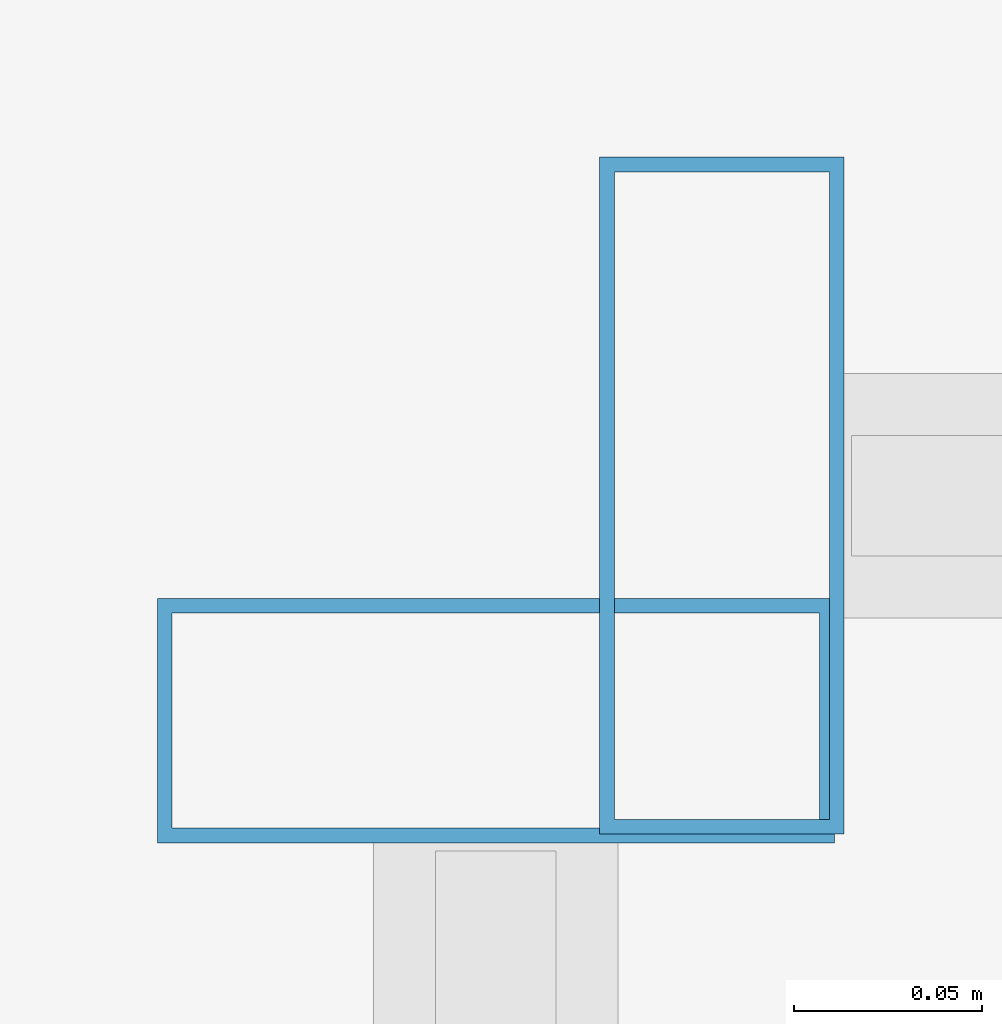
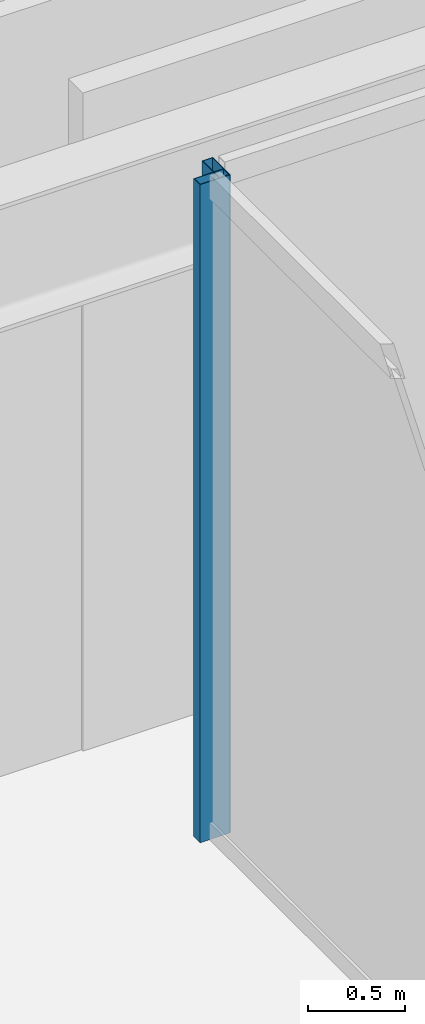
# One storey, part 24 of 47: 2 members, 2 elements without a shape of their own.
"""IFC4 building model written with IfcOpenShell, lengths in metres."""

from ifc_helpers import new_model, si_unit, direction, frame, origin, origin_2d, place, context, subcontext, project, spatial, hollow_rectangle, extrude, material, material_profile, profile_set, type_object, element, aggregate, save


model = new_model("IFC4")

# Units and contexts
model_context = context("Model", 3, precision=1e-05, world=origin(), true_north=direction((0.0, 1.0)))
body_context = subcontext(model_context, "Body", "Model", "MODEL_VIEW")
ifc_project = project(units=[si_unit("LENGTHUNIT", "METRE"), si_unit("AREAUNIT", "SQUARE_METRE"), si_unit("VOLUMEUNIT", "CUBIC_METRE"), si_unit("PLANEANGLEUNIT", "RADIAN"), si_unit("MASSUNIT", "GRAM", prefix="KILO")], contexts=[model_context])

# Site, building, storey
site_placement = place(None, origin())
site = spatial("IfcSite", under=ifc_project, at=site_placement, CompositionType="ELEMENT")
building_placement = place(site_placement, origin())
building = spatial("IfcBuilding", under=site, at=building_placement, Name="Saevonmaru Cultural Tower", CompositionType="ELEMENT")
storey_placement = place(building_placement, frame((0.0, 0.0, 51.60009765625)))
storey = spatial("IfcBuildingStorey", under=building, at=storey_placement, Name="L10", CompositionType="ELEMENT", Elevation=51.60009765625)

# Curtain wall, member
ifc_material = material(Name="Satin Bronze Anodised Aluminium", Category="aluminium")
curtain_wall_type = type_object("IfcCurtainWallType", Name="CW-ATR-GLZ", PredefinedType="NOTDEFINED", material=ifc_material)
curtain_wall_1_placement = place(storey_placement, origin())
curtain_wall_1 = element("IfcCurtainWall", 1, at=curtain_wall_1_placement, inside=storey, type_object=curtain_wall_type, Name="L10 Vertical Atrium Glazed Smoke Screen 3", PredefinedType="NOTDEFINED")
ifc_material_profile = material_profile(ifc_material, hollow_rectangle(XDim=0.06494140625, YDim=0.179931640625, WallThickness=0.00390625, at=origin_2d()), Name="ALU-MULL-180x65x4")
ifc_profile_set = profile_set([ifc_material_profile], Name="Satin Bronze Anodised Aluminium")
member_type = type_object("IfcMemberType", Name="ML-CW-INT-180x65", PredefinedType="MULLION", material=ifc_profile_set)
member_1_placement = place(storey_placement, frame((24.110107421875, 38.14990234375, 0.0), z_axis=(0.0, 0.0, 1.0), x_axis=(-1.0, 0.0, 0.0)))
member_1 = element("IfcMember", 2, at=member_1_placement, type_object=member_type, Name="CW-ATR-L10-3 mullion 2", PredefinedType="MULLION", context=body_context, shape_type="SweptSolid", body=[
    extrude(hollow_rectangle(XDim=0.06494140625, YDim=0.179931640625, WallThickness=0.00390625, at=origin_2d()), origin(), (0.0, 0.0, 1.0), 4.14990234375),
])
aggregate(curtain_wall_1, [member_1])

curtain_wall_2_placement = place(storey_placement, origin())
curtain_wall_2 = element("IfcCurtainWall", 3, at=curtain_wall_2_placement, inside=storey, type_object=curtain_wall_type, Name="L10 Vertical Atrium Glazed Smoke Screen 4", PredefinedType="NOTDEFINED")
member_2_placement = place(storey_placement, frame((24.050048828125, 38.090087890625, 0.0), z_axis=(0.0, 0.0, 1.0), x_axis=(0.0, -1.0, 0.0)))
member_2 = element("IfcMember", 4, at=member_2_placement, type_object=member_type, Name="CW-ATR-L10-4 mullion 1", PredefinedType="MULLION", context=body_context, shape_type="SweptSolid", body=[
    extrude(hollow_rectangle(XDim=0.06494140625, YDim=0.179931640625, WallThickness=0.00390625, at=origin_2d()), origin(), (0.0, 0.0, 1.0), 4.14990234375),
])
aggregate(curtain_wall_2, [member_2])

save(model, "model.ifc")
